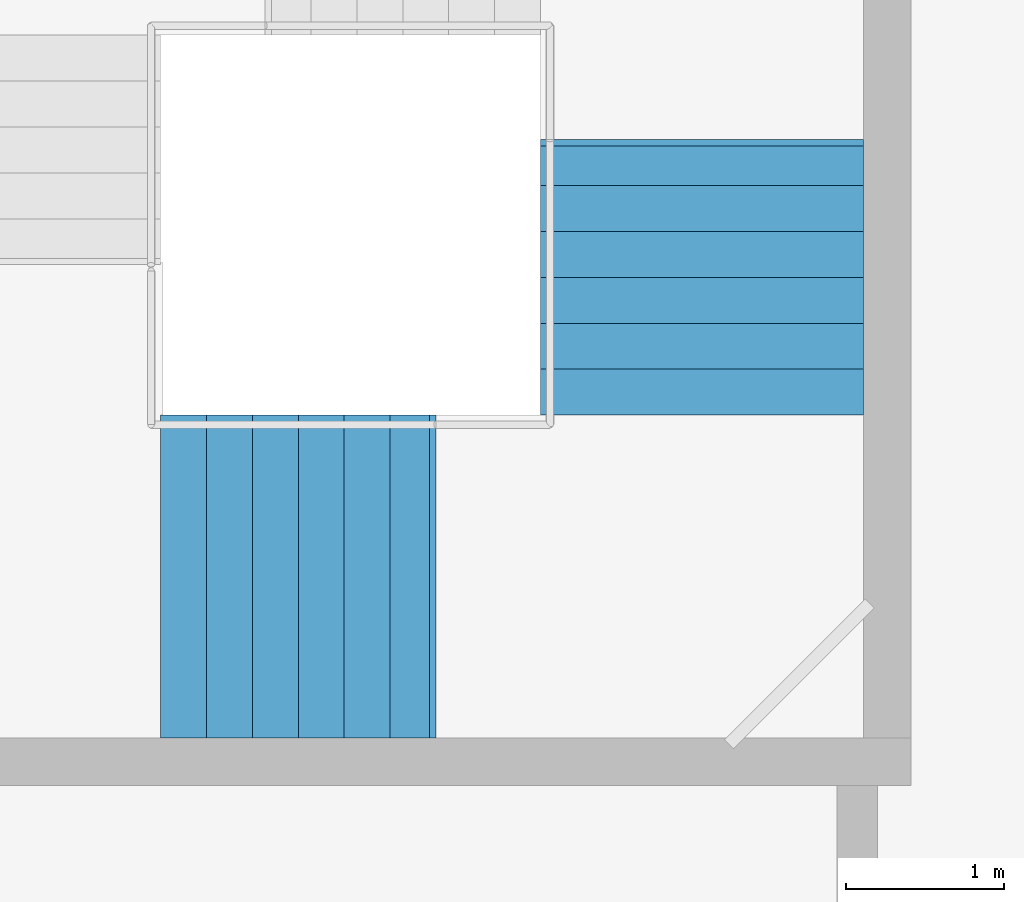
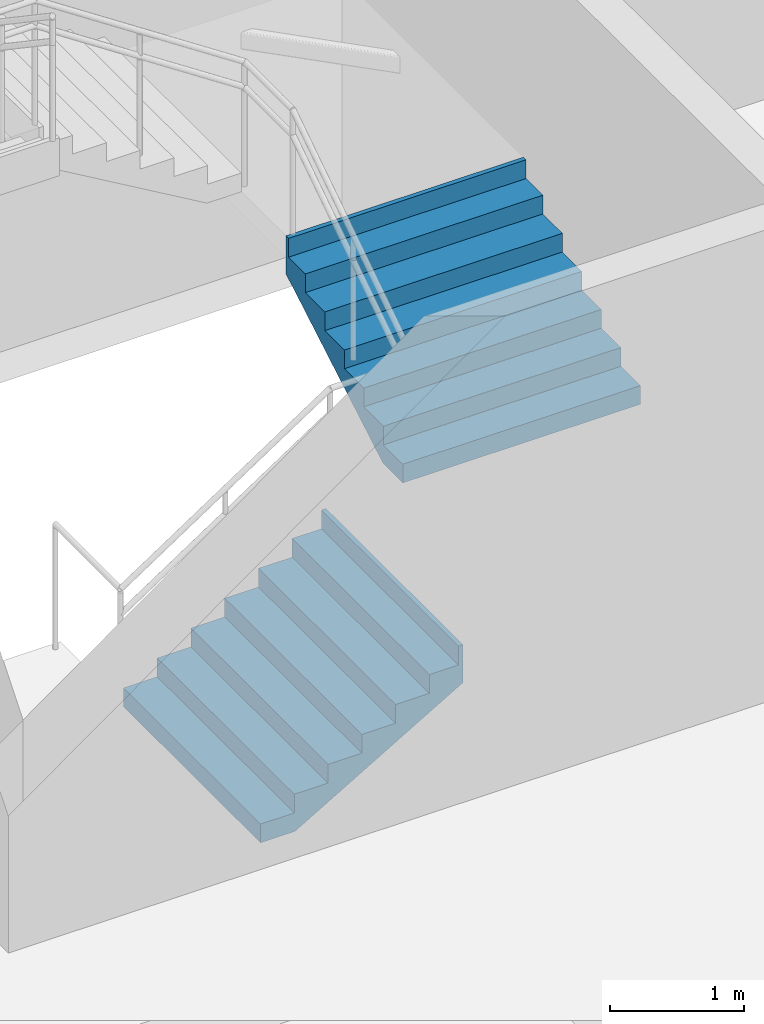
# One storey, part 28 of 32: 2 stair flights, 1 element without a shape of its own.
"""IFC4 building model written with IfcOpenShell, lengths in metres."""

from ifc_helpers import new_model, si_unit, direction, frame, origin, place, context, subcontext, project, spatial, triangles, material, type_object, element, aggregate, save


model = new_model("IFC4")

# Units and contexts
model_context = context("Model", 3, precision=1e-05, world=origin(), true_north=direction((0.0, 1.0)))
body_context = subcontext(model_context, "Body", "Model", "MODEL_VIEW")
ifc_project = project(units=[si_unit("LENGTHUNIT", "METRE"), si_unit("AREAUNIT", "SQUARE_METRE"), si_unit("VOLUMEUNIT", "CUBIC_METRE"), si_unit("PLANEANGLEUNIT", "RADIAN"), si_unit("MASSUNIT", "GRAM", prefix="KILO")], contexts=[model_context])

# Site, building, storey
site_placement = place(None, origin())
site = spatial("IfcSite", under=ifc_project, at=site_placement, CompositionType="ELEMENT")
building_placement = place(site_placement, origin())
building = spatial("IfcBuilding", under=site, at=building_placement, Name="Sillaruma Civic Art Gallery", CompositionType="ELEMENT")
storey_placement = place(building_placement, frame((0.0, 0.0, -4.590087890625)))
storey = spatial("IfcBuildingStorey", under=building, at=storey_placement, Name="B01", CompositionType="ELEMENT", Elevation=-4.590087890625)

# Stair, stair flights
ifc_material = material(Name="Concrete H35 (35 MPa)", Category="concrete")
stair_type = type_object("IfcStairType", Name="STR-4F-27", PredefinedType="USERDEFINED", material=ifc_material)
stair_placement = place(storey_placement, origin())
stair = element("IfcStair", 1, at=stair_placement, inside=storey, type_object=stair_type, Name="Protected Exit Stair ST-05 (East Wing) (B01)", ObjectType="THREE_RETURN_STAIR", PredefinedType="USERDEFINED")
stair_flight_type = type_object("IfcStairFlightType", Name="SFL-STR-7", PredefinedType="STRAIGHT", material=ifc_material)
stair_flight_1_placement = place(storey_placement, frame((144.199951171875, 12.419921875, 0.0), z_axis=(0.0, 0.0, 1.0), x_axis=(1.0, 0.0, 0.0)))
stair_flight_1 = element("IfcStairFlight", 2, at=stair_flight_1_placement, type_object=stair_flight_type, Name="ST-05 flight 1", NumberOfRisers=7, NumberOfTreads=6, PredefinedType="STRAIGHT", RiserHeight=0.17, TreadLength=0.29, context=body_context, shape_type="Tessellation", body=[
    triangles([(0.0, -1.02001953125, 0.0), (0.29, -1.02001953125, 0.0), (0.296404, -1.02001953125, 0.0), (0.58, -1.02001953125, 0.166246), (0.87, -1.02001953125, 0.336246), (1.16, -1.02001953125, 0.506246), (1.45, -1.02001953125, 0.676246), (1.69999, -1.02001953125, 0.822792), (1.73999, -1.02001953125, 0.84624), (1.73999, -1.02001953125, 1.19), (1.69999, -1.02001953125, 1.19), (1.69999, -1.02001953125, 1.02), (1.45, -1.02001953125, 1.02), (1.45, -1.02001953125, 0.85), (1.16, -1.02001953125, 0.85), (1.16, -1.02001953125, 0.68), (0.87, -1.02001953125, 0.68), (0.87, -1.02001953125, 0.51), (0.58, -1.02001953125, 0.51), (0.58, -1.02001953125, 0.34), (0.296404, -1.02001953125, 0.34), (0.29, -1.02001953125, 0.34), (0.29, -1.02001953125, 0.17), (0.0, -1.02001953125, 0.17), (0.0, -0.05, 0.0), (0.29, -0.05, 0.0), (0.296404, -0.05, 0.0), (0.58, -0.05, 0.166246), (0.87, -0.05, 0.336246), (1.16, -0.05, 0.506246), (1.45, -0.05, 0.676246), (1.69999, -0.05, 0.822792), (1.73999, -0.05, 0.84624), (1.73999, -0.05, 1.19), (1.69999, -0.05, 1.19), (1.69999, -0.05, 1.02), (1.45, -0.05, 1.02), (1.45, -0.05, 0.85), (1.16, -0.05, 0.85), (1.16, -0.05, 0.68), (0.87, -0.05, 0.68), (0.87, -0.05, 0.51), (0.58, -0.05, 0.51), (0.58, -0.05, 0.34), (0.296404, -0.05, 0.34), (0.29, -0.05, 0.34), (0.29, -0.05, 0.17), (0.0, -0.05, 0.17), (0.0, -0.0375, 0.0), (0.29, -0.0375, 0.0), (0.296404, -0.0375, 0.0), (0.58, -0.0375, 0.166246), (0.87, -0.0375, 0.336246), (1.16, -0.0375, 0.506246), (1.45, -0.0375, 0.676246), (1.69999, -0.0375, 0.822792), (1.73999, -0.0375, 0.84624), (1.73999, -0.0375, 1.19), (1.69999, -0.0375, 1.19), (1.69999, -0.0375, 1.02), (1.45, -0.0375, 1.02), (1.45, -0.0375, 0.85), (1.16, -0.0375, 0.85), (1.16, -0.0375, 0.68), (0.87, -0.0375, 0.68), (0.87, -0.0375, 0.51), (0.58, -0.0375, 0.51), (0.58, -0.0375, 0.34), (0.296404, -0.0375, 0.34), (0.29, -0.0375, 0.34), (0.29, -0.0375, 0.17), (0.0, -0.0375, 0.17), (0.0, -0.025, 0.0), (0.29, -0.025, 0.0), (0.296404, -0.025, 0.0), (0.58, -0.025, 0.166246), (0.87, -0.025, 0.336246), (1.16, -0.025, 0.506246), (1.45, -0.025, 0.676246), (1.69999, -0.025, 0.822792), (1.73999, -0.025, 0.84624), (1.73999, -0.025, 1.19), (1.69999, -0.025, 1.19), (1.69999, -0.025, 1.02), (1.45, -0.025, 1.02), (1.45, -0.025, 0.85), (1.16, -0.025, 0.85), (1.16, -0.025, 0.68), (0.87, -0.025, 0.68), (0.87, -0.025, 0.51), (0.58, -0.025, 0.51), (0.58, -0.025, 0.34), (0.296404, -0.025, 0.34), (0.29, -0.025, 0.34), (0.29, -0.025, 0.17), (0.0, -0.025, 0.17), (0.0, -0.0125, 0.0), (0.29, -0.0125, 0.0), (0.296404, -0.0125, 0.0), (0.58, -0.0125, 0.166246), (0.87, -0.0125, 0.336246), (1.16, -0.0125, 0.506246), (1.45, -0.0125, 0.676246), (1.69999, -0.0125, 0.822792), (1.73999, -0.0125, 0.84624), (1.73999, -0.0125, 1.19), (1.69999, -0.0125, 1.19), (1.69999, -0.0125, 1.02), (1.45, -0.0125, 1.02), (1.45, -0.0125, 0.85), (1.16, -0.0125, 0.85), (1.16, -0.0125, 0.68), (0.87, -0.0125, 0.68), (0.87, -0.0125, 0.51), (0.58, -0.0125, 0.51), (0.58, -0.0125, 0.34), (0.296404, -0.0125, 0.34), (0.29, -0.0125, 0.34), (0.29, -0.0125, 0.17), (0.0, -0.0125, 0.17), (0.0, 0.0, 0.0), (0.29, 0.0, 0.0), (0.296404, 0.0, 0.0), (0.58, 0.0, 0.166246), (0.87, 0.0, 0.336246), (1.16, 0.0, 0.506246), (1.45, 0.0, 0.676246), (1.69999, 0.0, 0.822792), (1.73999, 0.0, 0.84624), (1.73999, 0.0, 1.19), (1.69999, 0.0, 1.19), (1.69999, 0.0, 1.02), (1.45, 0.0, 1.02), (1.45, 0.0, 0.85), (1.16, 0.0, 0.85), (1.16, 0.0, 0.68), (0.87, 0.0, 0.68), (0.87, 0.0, 0.51), (0.58, 0.0, 0.51), (0.58, 0.0, 0.34), (0.296404, 0.0, 0.34), (0.29, 0.0, 0.34), (0.29, 0.0, 0.17), (0.0, 0.0, 0.17), (0.0, 0.0125, 0.0), (0.29, 0.0125, 0.0), (0.296404, 0.0125, 0.0), (0.58, 0.0125, 0.166246), (0.87, 0.0125, 0.336246), (1.16, 0.0125, 0.506246), (1.45, 0.0125, 0.676246), (1.69999, 0.0125, 0.822792), (1.73999, 0.0125, 0.84624), (1.73999, 0.0125, 1.19), (1.69999, 0.0125, 1.19), (1.69999, 0.0125, 1.02), (1.45, 0.0125, 1.02), (1.45, 0.0125, 0.85), (1.16, 0.0125, 0.85), (1.16, 0.0125, 0.68), (0.87, 0.0125, 0.68), (0.87, 0.0125, 0.51), (0.58, 0.0125, 0.51), (0.58, 0.0125, 0.34), (0.296404, 0.0125, 0.34), (0.29, 0.0125, 0.34), (0.29, 0.0125, 0.17), (0.0, 0.0125, 0.17), (0.0, 0.025, 0.0), (0.29, 0.025, 0.0), (0.296404, 0.025, 0.0), (0.58, 0.025, 0.166246), (0.87, 0.025, 0.336246), (1.16, 0.025, 0.506246), (1.45, 0.025, 0.676246), (1.69999, 0.025, 0.822792), (1.73999, 0.025, 0.84624), (1.73999, 0.025, 1.19), (1.69999, 0.025, 1.19), (1.69999, 0.025, 1.02), (1.45, 0.025, 1.02), (1.45, 0.025, 0.85), (1.16, 0.025, 0.85), (1.16, 0.025, 0.68), (0.87, 0.025, 0.68), (0.87, 0.025, 0.51), (0.58, 0.025, 0.51), (0.58, 0.025, 0.34), (0.296404, 0.025, 0.34), (0.29, 0.025, 0.34), (0.29, 0.025, 0.17), (0.0, 0.025, 0.17), (0.0, 0.0375, 0.0), (0.29, 0.0375, 0.0), (0.296404, 0.0375, 0.0), (0.58, 0.0375, 0.166246), (0.87, 0.0375, 0.336246), (1.16, 0.0375, 0.506246), (1.45, 0.0375, 0.676246), (1.69999, 0.0375, 0.822792), (1.73999, 0.0375, 0.84624), (1.73999, 0.0375, 1.19), (1.69999, 0.0375, 1.19), (1.69999, 0.0375, 1.02), (1.45, 0.0375, 1.02), (1.45, 0.0375, 0.85), (1.16, 0.0375, 0.85), (1.16, 0.0375, 0.68), (0.87, 0.0375, 0.68), (0.87, 0.0375, 0.51), (0.58, 0.0375, 0.51), (0.58, 0.0375, 0.34), (0.296404, 0.0375, 0.34), (0.29, 0.0375, 0.34), (0.29, 0.0375, 0.17), (0.0, 0.0375, 0.17), (0.0, 0.05, 0.0), (0.29, 0.05, 0.0), (0.296404, 0.05, 0.0), (0.58, 0.05, 0.166246), (0.87, 0.05, 0.336246), (1.16, 0.05, 0.506246), (1.45, 0.05, 0.676246), (1.69999, 0.05, 0.822792), (1.73999, 0.05, 0.84624), (1.73999, 0.05, 1.19), (1.69999, 0.05, 1.19), (1.69999, 0.05, 1.02), (1.45, 0.05, 1.02), (1.45, 0.05, 0.85), (1.16, 0.05, 0.85), (1.16, 0.05, 0.68), (0.87, 0.05, 0.68), (0.87, 0.05, 0.51), (0.58, 0.05, 0.51), (0.58, 0.05, 0.34), (0.296404, 0.05, 0.34), (0.29, 0.05, 0.34), (0.29, 0.05, 0.17), (0.0, 0.05, 0.17), (0.0, 1.02001953125, 0.0), (0.29, 1.02001953125, 0.0), (0.296404, 1.02001953125, 0.0), (0.58, 1.02001953125, 0.166246), (0.87, 1.02001953125, 0.336246), (1.16, 1.02001953125, 0.506246), (1.45, 1.02001953125, 0.676246), (1.69999, 1.02001953125, 0.822792), (1.73999, 1.02001953125, 0.84624), (1.73999, 1.02001953125, 1.19), (1.69999, 1.02001953125, 1.19), (1.69999, 1.02001953125, 1.02), (1.45, 1.02001953125, 1.02), (1.45, 1.02001953125, 0.85), (1.16, 1.02001953125, 0.85), (1.16, 1.02001953125, 0.68), (0.87, 1.02001953125, 0.68), (0.87, 1.02001953125, 0.51), (0.58, 1.02001953125, 0.51), (0.58, 1.02001953125, 0.34), (0.296404, 1.02001953125, 0.34), (0.29, 1.02001953125, 0.34), (0.29, 1.02001953125, 0.17), (0.0, 1.02001953125, 0.17)], [[1, 2, 23], [1, 23, 24], [2, 3, 21], [2, 21, 23], [23, 21, 22], [3, 4, 20], [3, 20, 21], [4, 5, 18], [4, 18, 20], [20, 18, 19], [5, 6, 16], [5, 16, 18], [18, 16, 17], [6, 7, 14], [6, 14, 16], [16, 14, 15], [7, 8, 12], [7, 12, 14], [14, 12, 13], [8, 9, 10], [8, 10, 12], [12, 10, 11], [263, 242, 241], [264, 263, 241], [261, 243, 242], [263, 261, 242], [262, 261, 263], [260, 244, 243], [261, 260, 243], [258, 245, 244], [260, 258, 244], [259, 258, 260], [256, 246, 245], [258, 256, 245], [257, 256, 258], [254, 247, 246], [256, 254, 246], [255, 254, 256], [252, 248, 247], [254, 252, 247], [253, 252, 254], [250, 249, 248], [252, 250, 248], [251, 250, 252], [2, 1, 25], [2, 25, 26], [3, 2, 26], [3, 26, 27], [4, 3, 27], [4, 27, 28], [5, 4, 28], [5, 28, 29], [6, 5, 29], [6, 29, 30], [7, 6, 30], [7, 30, 31], [8, 7, 31], [8, 31, 32], [9, 8, 32], [9, 32, 33], [10, 9, 33], [10, 33, 34], [11, 10, 34], [11, 34, 35], [12, 11, 35], [12, 35, 36], [13, 12, 36], [13, 36, 37], [14, 13, 37], [14, 37, 38], [15, 14, 38], [15, 38, 39], [16, 15, 39], [16, 39, 40], [17, 16, 40], [17, 40, 41], [18, 17, 41], [18, 41, 42], [19, 18, 42], [19, 42, 43], [20, 19, 43], [20, 43, 44], [21, 20, 44], [21, 44, 45], [22, 21, 45], [22, 45, 46], [23, 22, 46], [23, 46, 47], [24, 23, 47], [24, 47, 48], [1, 24, 48], [1, 48, 25], [26, 25, 49], [26, 49, 50], [27, 26, 50], [27, 50, 51], [28, 27, 51], [28, 51, 52], [29, 28, 52], [29, 52, 53], [30, 29, 53], [30, 53, 54], [31, 30, 54], [31, 54, 55], [32, 31, 55], [32, 55, 56], [33, 32, 56], [33, 56, 57], [34, 33, 57], [34, 57, 58], [35, 34, 58], [35, 58, 59], [36, 35, 59], [36, 59, 60], [37, 36, 60], [37, 60, 61], [38, 37, 61], [38, 61, 62], [39, 38, 62], [39, 62, 63], [40, 39, 63], [40, 63, 64], [41, 40, 64], [41, 64, 65], [42, 41, 65], [42, 65, 66], [43, 42, 66], [43, 66, 67], [44, 43, 67], [44, 67, 68], [45, 44, 68], [45, 68, 69], [46, 45, 69], [46, 69, 70], [47, 46, 70], [47, 70, 71], [48, 47, 71], [48, 71, 72], [25, 48, 72], [25, 72, 49], [50, 49, 73], [50, 73, 74], [51, 50, 74], [51, 74, 75], [52, 51, 75], [52, 75, 76], [53, 52, 76], [53, 76, 77], [54, 53, 77], [54, 77, 78], [55, 54, 78], [55, 78, 79], [56, 55, 79], [56, 79, 80], [57, 56, 80], [57, 80, 81], [58, 57, 81], [58, 81, 82], [59, 58, 82], [59, 82, 83], [60, 59, 83], [60, 83, 84], [61, 60, 84], [61, 84, 85], [62, 61, 85], [62, 85, 86], [63, 62, 86], [63, 86, 87], [64, 63, 87], [64, 87, 88], [65, 64, 88], [65, 88, 89], [66, 65, 89], [66, 89, 90], [67, 66, 90], [67, 90, 91], [68, 67, 91], [68, 91, 92], [69, 68, 92], [69, 92, 93], [70, 69, 93], [70, 93, 94], [71, 70, 94], [71, 94, 95], [72, 71, 95], [72, 95, 96], [49, 72, 96], [49, 96, 73], [74, 73, 97], [74, 97, 98], [75, 74, 98], [75, 98, 99], [76, 75, 99], [76, 99, 100], [77, 76, 100], [77, 100, 101], [78, 77, 101], [78, 101, 102], [79, 78, 102], [79, 102, 103], [80, 79, 103], [80, 103, 104], [81, 80, 104], [81, 104, 105], [82, 81, 105], [82, 105, 106], [83, 82, 106], [83, 106, 107], [84, 83, 107], [84, 107, 108], [85, 84, 108], [85, 108, 109], [86, 85, 109], [86, 109, 110], [87, 86, 110], [87, 110, 111], [88, 87, 111], [88, 111, 112], [89, 88, 112], [89, 112, 113], [90, 89, 113], [90, 113, 114], [91, 90, 114], [91, 114, 115], [92, 91, 115], [92, 115, 116], [93, 92, 116], [93, 116, 117], [94, 93, 117], [94, 117, 118], [95, 94, 118], [95, 118, 119], [96, 95, 119], [96, 119, 120], [73, 96, 120], [73, 120, 97], [98, 97, 121], [98, 121, 122], [99, 98, 122], [99, 122, 123], [100, 99, 123], [100, 123, 124], [101, 100, 124], [101, 124, 125], [102, 101, 125], [102, 125, 126], [103, 102, 126], [103, 126, 127], [104, 103, 127], [104, 127, 128], [105, 104, 128], [105, 128, 129], [106, 105, 129], [106, 129, 130], [107, 106, 130], [107, 130, 131], [108, 107, 131], [108, 131, 132], [109, 108, 132], [109, 132, 133], [110, 109, 133], [110, 133, 134], [111, 110, 134], [111, 134, 135], [112, 111, 135], [112, 135, 136], [113, 112, 136], [113, 136, 137], [114, 113, 137], [114, 137, 138], [115, 114, 138], [115, 138, 139], [116, 115, 139], [116, 139, 140], [117, 116, 140], [117, 140, 141], [118, 117, 141], [118, 141, 142], [119, 118, 142], [119, 142, 143], [120, 119, 143], [120, 143, 144], [97, 120, 144], [97, 144, 121], [122, 121, 145], [122, 145, 146], [123, 122, 146], [123, 146, 147], [124, 123, 147], [124, 147, 148], [125, 124, 148], [125, 148, 149], [126, 125, 149], [126, 149, 150], [127, 126, 150], [127, 150, 151], [128, 127, 151], [128, 151, 152], [129, 128, 152], [129, 152, 153], [130, 129, 153], [130, 153, 154], [131, 130, 154], [131, 154, 155], [132, 131, 155], [132, 155, 156], [133, 132, 156], [133, 156, 157], [134, 133, 157], [134, 157, 158], [135, 134, 158], [135, 158, 159], [136, 135, 159], [136, 159, 160], [137, 136, 160], [137, 160, 161], [138, 137, 161], [138, 161, 162], [139, 138, 162], [139, 162, 163], [140, 139, 163], [140, 163, 164], [141, 140, 164], [141, 164, 165], [142, 141, 165], [142, 165, 166], [143, 142, 166], [143, 166, 167], [144, 143, 167], [144, 167, 168], [121, 144, 168], [121, 168, 145], [146, 145, 169], [146, 169, 170], [147, 146, 170], [147, 170, 171], [148, 147, 171], [148, 171, 172], [149, 148, 172], [149, 172, 173], [150, 149, 173], [150, 173, 174], [151, 150, 174], [151, 174, 175], [152, 151, 175], [152, 175, 176], [153, 152, 176], [153, 176, 177], [154, 153, 177], [154, 177, 178], [155, 154, 178], [155, 178, 179], [156, 155, 179], [156, 179, 180], [157, 156, 180], [157, 180, 181], [158, 157, 181], [158, 181, 182], [159, 158, 182], [159, 182, 183], [160, 159, 183], [160, 183, 184], [161, 160, 184], [161, 184, 185], [162, 161, 185], [162, 185, 186], [163, 162, 186], [163, 186, 187], [164, 163, 187], [164, 187, 188], [165, 164, 188], [165, 188, 189], [166, 165, 189], [166, 189, 190], [167, 166, 190], [167, 190, 191], [168, 167, 191], [168, 191, 192], [145, 168, 192], [145, 192, 169], [170, 169, 193], [170, 193, 194], [171, 170, 194], [171, 194, 195], [172, 171, 195], [172, 195, 196], [173, 172, 196], [173, 196, 197], [174, 173, 197], [174, 197, 198], [175, 174, 198], [175, 198, 199], [176, 175, 199], [176, 199, 200], [177, 176, 200], [177, 200, 201], [178, 177, 201], [178, 201, 202], [179, 178, 202], [179, 202, 203], [180, 179, 203], [180, 203, 204], [181, 180, 204], [181, 204, 205], [182, 181, 205], [182, 205, 206], [183, 182, 206], [183, 206, 207], [184, 183, 207], [184, 207, 208], [185, 184, 208], [185, 208, 209], [186, 185, 209], [186, 209, 210], [187, 186, 210], [187, 210, 211], [188, 187, 211], [188, 211, 212], [189, 188, 212], [189, 212, 213], [190, 189, 213], [190, 213, 214], [191, 190, 214], [191, 214, 215], [192, 191, 215], [192, 215, 216], [169, 192, 216], [169, 216, 193], [194, 193, 217], [194, 217, 218], [195, 194, 218], [195, 218, 219], [196, 195, 219], [196, 219, 220], [197, 196, 220], [197, 220, 221], [198, 197, 221], [198, 221, 222], [199, 198, 222], [199, 222, 223], [200, 199, 223], [200, 223, 224], [201, 200, 224], [201, 224, 225], [202, 201, 225], [202, 225, 226], [203, 202, 226], [203, 226, 227], [204, 203, 227], [204, 227, 228], [205, 204, 228], [205, 228, 229], [206, 205, 229], [206, 229, 230], [207, 206, 230], [207, 230, 231], [208, 207, 231], [208, 231, 232], [209, 208, 232], [209, 232, 233], [210, 209, 233], [210, 233, 234], [211, 210, 234], [211, 234, 235], [212, 211, 235], [212, 235, 236], [213, 212, 236], [213, 236, 237], [214, 213, 237], [214, 237, 238], [215, 214, 238], [215, 238, 239], [216, 215, 239], [216, 239, 240], [193, 216, 240], [193, 240, 217], [218, 217, 241], [218, 241, 242], [219, 218, 242], [219, 242, 243], [220, 219, 243], [220, 243, 244], [221, 220, 244], [221, 244, 245], [222, 221, 245], [222, 245, 246], [223, 222, 246], [223, 246, 247], [224, 223, 247], [224, 247, 248], [225, 224, 248], [225, 248, 249], [226, 225, 249], [226, 249, 250], [227, 226, 250], [227, 250, 251], [228, 227, 251], [228, 251, 252], [229, 228, 252], [229, 252, 253], [230, 229, 253], [230, 253, 254], [231, 230, 254], [231, 254, 255], [232, 231, 255], [232, 255, 256], [233, 232, 256], [233, 256, 257], [234, 233, 257], [234, 257, 258], [235, 234, 258], [235, 258, 259], [236, 235, 259], [236, 259, 260], [237, 236, 260], [237, 260, 261], [238, 237, 261], [238, 261, 262], [239, 238, 262], [239, 262, 263], [240, 239, 263], [240, 263, 264], [217, 240, 264], [217, 264, 241]], closed=True),
])
stair_flight_2_placement = place(storey_placement, frame((147.6201171875, 13.43994140625, 1.190185546875), z_axis=(0.0, 0.0, 1.0), x_axis=(0.0, 1.0, 0.0)))
stair_flight_2 = element("IfcStairFlight", 3, at=stair_flight_2_placement, type_object=stair_flight_type, Name="ST-05 flight 2", NumberOfRisers=7, NumberOfTreads=6, PredefinedType="STRAIGHT", RiserHeight=0.17, TreadLength=0.29, context=body_context, shape_type="Tessellation", body=[
    triangles([(0.0, -1.02001953125, 0.0), (0.29, -1.02001953125, 0.0), (0.296404, -1.02001953125, 0.0), (0.58, -1.02001953125, 0.166246), (0.87, -1.02001953125, 0.336246), (1.16, -1.02001953125, 0.506246), (1.45, -1.02001953125, 0.676246), (1.69999, -1.02001953125, 0.822792), (1.73999, -1.02001953125, 0.84624), (1.73999, -1.02001953125, 1.19), (1.69999, -1.02001953125, 1.19), (1.69999, -1.02001953125, 1.02), (1.45, -1.02001953125, 1.02), (1.45, -1.02001953125, 0.85), (1.16, -1.02001953125, 0.85), (1.16, -1.02001953125, 0.68), (0.87, -1.02001953125, 0.68), (0.87, -1.02001953125, 0.51), (0.58, -1.02001953125, 0.51), (0.58, -1.02001953125, 0.34), (0.296404, -1.02001953125, 0.34), (0.29, -1.02001953125, 0.34), (0.29, -1.02001953125, 0.17), (0.0, -1.02001953125, 0.17), (0.0, -0.05, 0.0), (0.29, -0.05, 0.0), (0.296404, -0.05, 0.0), (0.58, -0.05, 0.166246), (0.87, -0.05, 0.336246), (1.16, -0.05, 0.506246), (1.45, -0.05, 0.676246), (1.69999, -0.05, 0.822792), (1.73999, -0.05, 0.84624), (1.73999, -0.05, 1.19), (1.69999, -0.05, 1.19), (1.69999, -0.05, 1.02), (1.45, -0.05, 1.02), (1.45, -0.05, 0.85), (1.16, -0.05, 0.85), (1.16, -0.05, 0.68), (0.87, -0.05, 0.68), (0.87, -0.05, 0.51), (0.58, -0.05, 0.51), (0.58, -0.05, 0.34), (0.296404, -0.05, 0.34), (0.29, -0.05, 0.34), (0.29, -0.05, 0.17), (0.0, -0.05, 0.17), (0.0, -0.0375, 0.0), (0.29, -0.0375, 0.0), (0.296404, -0.0375, 0.0), (0.58, -0.0375, 0.166246), (0.87, -0.0375, 0.336246), (1.16, -0.0375, 0.506246), (1.45, -0.0375, 0.676246), (1.69999, -0.0375, 0.822792), (1.73999, -0.0375, 0.84624), (1.73999, -0.0375, 1.19), (1.69999, -0.0375, 1.19), (1.69999, -0.0375, 1.02), (1.45, -0.0375, 1.02), (1.45, -0.0375, 0.85), (1.16, -0.0375, 0.85), (1.16, -0.0375, 0.68), (0.87, -0.0375, 0.68), (0.87, -0.0375, 0.51), (0.58, -0.0375, 0.51), (0.58, -0.0375, 0.34), (0.296404, -0.0375, 0.34), (0.29, -0.0375, 0.34), (0.29, -0.0375, 0.17), (0.0, -0.0375, 0.17), (0.0, -0.025, 0.0), (0.29, -0.025, 0.0), (0.296404, -0.025, 0.0), (0.58, -0.025, 0.166246), (0.87, -0.025, 0.336246), (1.16, -0.025, 0.506246), (1.45, -0.025, 0.676246), (1.69999, -0.025, 0.822792), (1.73999, -0.025, 0.84624), (1.73999, -0.025, 1.19), (1.69999, -0.025, 1.19), (1.69999, -0.025, 1.02), (1.45, -0.025, 1.02), (1.45, -0.025, 0.85), (1.16, -0.025, 0.85), (1.16, -0.025, 0.68), (0.87, -0.025, 0.68), (0.87, -0.025, 0.51), (0.58, -0.025, 0.51), (0.58, -0.025, 0.34), (0.296404, -0.025, 0.34), (0.29, -0.025, 0.34), (0.29, -0.025, 0.17), (0.0, -0.025, 0.17), (0.0, -0.0125, 0.0), (0.29, -0.0125, 0.0), (0.296404, -0.0125, 0.0), (0.58, -0.0125, 0.166246), (0.87, -0.0125, 0.336246), (1.16, -0.0125, 0.506246), (1.45, -0.0125, 0.676246), (1.69999, -0.0125, 0.822792), (1.73999, -0.0125, 0.84624), (1.73999, -0.0125, 1.19), (1.69999, -0.0125, 1.19), (1.69999, -0.0125, 1.02), (1.45, -0.0125, 1.02), (1.45, -0.0125, 0.85), (1.16, -0.0125, 0.85), (1.16, -0.0125, 0.68), (0.87, -0.0125, 0.68), (0.87, -0.0125, 0.51), (0.58, -0.0125, 0.51), (0.58, -0.0125, 0.34), (0.296404, -0.0125, 0.34), (0.29, -0.0125, 0.34), (0.29, -0.0125, 0.17), (0.0, -0.0125, 0.17), (0.0, 0.0, 0.0), (0.29, 0.0, 0.0), (0.296404, 0.0, 0.0), (0.58, 0.0, 0.166246), (0.87, 0.0, 0.336246), (1.16, 0.0, 0.506246), (1.45, 0.0, 0.676246), (1.69999, 0.0, 0.822792), (1.73999, 0.0, 0.84624), (1.73999, 0.0, 1.19), (1.69999, 0.0, 1.19), (1.69999, 0.0, 1.02), (1.45, 0.0, 1.02), (1.45, 0.0, 0.85), (1.16, 0.0, 0.85), (1.16, 0.0, 0.68), (0.87, 0.0, 0.68), (0.87, 0.0, 0.51), (0.58, 0.0, 0.51), (0.58, 0.0, 0.34), (0.296404, 0.0, 0.34), (0.29, 0.0, 0.34), (0.29, 0.0, 0.17), (0.0, 0.0, 0.17), (0.0, 0.0125, 0.0), (0.29, 0.0125, 0.0), (0.296404, 0.0125, 0.0), (0.58, 0.0125, 0.166246), (0.87, 0.0125, 0.336246), (1.16, 0.0125, 0.506246), (1.45, 0.0125, 0.676246), (1.69999, 0.0125, 0.822792), (1.73999, 0.0125, 0.84624), (1.73999, 0.0125, 1.19), (1.69999, 0.0125, 1.19), (1.69999, 0.0125, 1.02), (1.45, 0.0125, 1.02), (1.45, 0.0125, 0.85), (1.16, 0.0125, 0.85), (1.16, 0.0125, 0.68), (0.87, 0.0125, 0.68), (0.87, 0.0125, 0.51), (0.58, 0.0125, 0.51), (0.58, 0.0125, 0.34), (0.296404, 0.0125, 0.34), (0.29, 0.0125, 0.34), (0.29, 0.0125, 0.17), (0.0, 0.0125, 0.17), (0.0, 0.025, 0.0), (0.29, 0.025, 0.0), (0.296404, 0.025, 0.0), (0.58, 0.025, 0.166246), (0.87, 0.025, 0.336246), (1.16, 0.025, 0.506246), (1.45, 0.025, 0.676246), (1.69999, 0.025, 0.822792), (1.73999, 0.025, 0.84624), (1.73999, 0.025, 1.19), (1.69999, 0.025, 1.19), (1.69999, 0.025, 1.02), (1.45, 0.025, 1.02), (1.45, 0.025, 0.85), (1.16, 0.025, 0.85), (1.16, 0.025, 0.68), (0.87, 0.025, 0.68), (0.87, 0.025, 0.51), (0.58, 0.025, 0.51), (0.58, 0.025, 0.34), (0.296404, 0.025, 0.34), (0.29, 0.025, 0.34), (0.29, 0.025, 0.17), (0.0, 0.025, 0.17), (0.0, 0.0375, 0.0), (0.29, 0.0375, 0.0), (0.296404, 0.0375, 0.0), (0.58, 0.0375, 0.166246), (0.87, 0.0375, 0.336246), (1.16, 0.0375, 0.506246), (1.45, 0.0375, 0.676246), (1.69999, 0.0375, 0.822792), (1.73999, 0.0375, 0.84624), (1.73999, 0.0375, 1.19), (1.69999, 0.0375, 1.19), (1.69999, 0.0375, 1.02), (1.45, 0.0375, 1.02), (1.45, 0.0375, 0.85), (1.16, 0.0375, 0.85), (1.16, 0.0375, 0.68), (0.87, 0.0375, 0.68), (0.87, 0.0375, 0.51), (0.58, 0.0375, 0.51), (0.58, 0.0375, 0.34), (0.296404, 0.0375, 0.34), (0.29, 0.0375, 0.34), (0.29, 0.0375, 0.17), (0.0, 0.0375, 0.17), (0.0, 0.05, 0.0), (0.29, 0.05, 0.0), (0.296404, 0.05, 0.0), (0.58, 0.05, 0.166246), (0.87, 0.05, 0.336246), (1.16, 0.05, 0.506246), (1.45, 0.05, 0.676246), (1.69999, 0.05, 0.822792), (1.73999, 0.05, 0.84624), (1.73999, 0.05, 1.19), (1.69999, 0.05, 1.19), (1.69999, 0.05, 1.02), (1.45, 0.05, 1.02), (1.45, 0.05, 0.85), (1.16, 0.05, 0.85), (1.16, 0.05, 0.68), (0.87, 0.05, 0.68), (0.87, 0.05, 0.51), (0.58, 0.05, 0.51), (0.58, 0.05, 0.34), (0.296404, 0.05, 0.34), (0.29, 0.05, 0.34), (0.29, 0.05, 0.17), (0.0, 0.05, 0.17), (0.0, 1.02001953125, 0.0), (0.29, 1.02001953125, 0.0), (0.296404, 1.02001953125, 0.0), (0.58, 1.02001953125, 0.166246), (0.87, 1.02001953125, 0.336246), (1.16, 1.02001953125, 0.506246), (1.45, 1.02001953125, 0.676246), (1.69999, 1.02001953125, 0.822792), (1.73999, 1.02001953125, 0.84624), (1.73999, 1.02001953125, 1.19), (1.69999, 1.02001953125, 1.19), (1.69999, 1.02001953125, 1.02), (1.45, 1.02001953125, 1.02), (1.45, 1.02001953125, 0.85), (1.16, 1.02001953125, 0.85), (1.16, 1.02001953125, 0.68), (0.87, 1.02001953125, 0.68), (0.87, 1.02001953125, 0.51), (0.58, 1.02001953125, 0.51), (0.58, 1.02001953125, 0.34), (0.296404, 1.02001953125, 0.34), (0.29, 1.02001953125, 0.34), (0.29, 1.02001953125, 0.17), (0.0, 1.02001953125, 0.17)], [[1, 2, 23], [1, 23, 24], [2, 3, 21], [2, 21, 23], [23, 21, 22], [3, 4, 20], [3, 20, 21], [4, 5, 18], [4, 18, 20], [20, 18, 19], [5, 6, 16], [5, 16, 18], [18, 16, 17], [6, 7, 14], [6, 14, 16], [16, 14, 15], [7, 8, 12], [7, 12, 14], [14, 12, 13], [8, 9, 10], [8, 10, 12], [12, 10, 11], [263, 242, 241], [264, 263, 241], [261, 243, 242], [263, 261, 242], [262, 261, 263], [260, 244, 243], [261, 260, 243], [258, 245, 244], [260, 258, 244], [259, 258, 260], [256, 246, 245], [258, 256, 245], [257, 256, 258], [254, 247, 246], [256, 254, 246], [255, 254, 256], [252, 248, 247], [254, 252, 247], [253, 252, 254], [250, 249, 248], [252, 250, 248], [251, 250, 252], [2, 1, 25], [2, 25, 26], [3, 2, 26], [3, 26, 27], [4, 3, 27], [4, 27, 28], [5, 4, 28], [5, 28, 29], [6, 5, 29], [6, 29, 30], [7, 6, 30], [7, 30, 31], [8, 7, 31], [8, 31, 32], [9, 8, 32], [9, 32, 33], [10, 9, 33], [10, 33, 34], [11, 10, 34], [11, 34, 35], [12, 11, 35], [12, 35, 36], [13, 12, 36], [13, 36, 37], [14, 13, 37], [14, 37, 38], [15, 14, 38], [15, 38, 39], [16, 15, 39], [16, 39, 40], [17, 16, 40], [17, 40, 41], [18, 17, 41], [18, 41, 42], [19, 18, 42], [19, 42, 43], [20, 19, 43], [20, 43, 44], [21, 20, 44], [21, 44, 45], [22, 21, 45], [22, 45, 46], [23, 22, 46], [23, 46, 47], [24, 23, 47], [24, 47, 48], [1, 24, 48], [1, 48, 25], [26, 25, 49], [26, 49, 50], [27, 26, 50], [27, 50, 51], [28, 27, 51], [28, 51, 52], [29, 28, 52], [29, 52, 53], [30, 29, 53], [30, 53, 54], [31, 30, 54], [31, 54, 55], [32, 31, 55], [32, 55, 56], [33, 32, 56], [33, 56, 57], [34, 33, 57], [34, 57, 58], [35, 34, 58], [35, 58, 59], [36, 35, 59], [36, 59, 60], [37, 36, 60], [37, 60, 61], [38, 37, 61], [38, 61, 62], [39, 38, 62], [39, 62, 63], [40, 39, 63], [40, 63, 64], [41, 40, 64], [41, 64, 65], [42, 41, 65], [42, 65, 66], [43, 42, 66], [43, 66, 67], [44, 43, 67], [44, 67, 68], [45, 44, 68], [45, 68, 69], [46, 45, 69], [46, 69, 70], [47, 46, 70], [47, 70, 71], [48, 47, 71], [48, 71, 72], [25, 48, 72], [25, 72, 49], [50, 49, 73], [50, 73, 74], [51, 50, 74], [51, 74, 75], [52, 51, 75], [52, 75, 76], [53, 52, 76], [53, 76, 77], [54, 53, 77], [54, 77, 78], [55, 54, 78], [55, 78, 79], [56, 55, 79], [56, 79, 80], [57, 56, 80], [57, 80, 81], [58, 57, 81], [58, 81, 82], [59, 58, 82], [59, 82, 83], [60, 59, 83], [60, 83, 84], [61, 60, 84], [61, 84, 85], [62, 61, 85], [62, 85, 86], [63, 62, 86], [63, 86, 87], [64, 63, 87], [64, 87, 88], [65, 64, 88], [65, 88, 89], [66, 65, 89], [66, 89, 90], [67, 66, 90], [67, 90, 91], [68, 67, 91], [68, 91, 92], [69, 68, 92], [69, 92, 93], [70, 69, 93], [70, 93, 94], [71, 70, 94], [71, 94, 95], [72, 71, 95], [72, 95, 96], [49, 72, 96], [49, 96, 73], [74, 73, 97], [74, 97, 98], [75, 74, 98], [75, 98, 99], [76, 75, 99], [76, 99, 100], [77, 76, 100], [77, 100, 101], [78, 77, 101], [78, 101, 102], [79, 78, 102], [79, 102, 103], [80, 79, 103], [80, 103, 104], [81, 80, 104], [81, 104, 105], [82, 81, 105], [82, 105, 106], [83, 82, 106], [83, 106, 107], [84, 83, 107], [84, 107, 108], [85, 84, 108], [85, 108, 109], [86, 85, 109], [86, 109, 110], [87, 86, 110], [87, 110, 111], [88, 87, 111], [88, 111, 112], [89, 88, 112], [89, 112, 113], [90, 89, 113], [90, 113, 114], [91, 90, 114], [91, 114, 115], [92, 91, 115], [92, 115, 116], [93, 92, 116], [93, 116, 117], [94, 93, 117], [94, 117, 118], [95, 94, 118], [95, 118, 119], [96, 95, 119], [96, 119, 120], [73, 96, 120], [73, 120, 97], [98, 97, 121], [98, 121, 122], [99, 98, 122], [99, 122, 123], [100, 99, 123], [100, 123, 124], [101, 100, 124], [101, 124, 125], [102, 101, 125], [102, 125, 126], [103, 102, 126], [103, 126, 127], [104, 103, 127], [104, 127, 128], [105, 104, 128], [105, 128, 129], [106, 105, 129], [106, 129, 130], [107, 106, 130], [107, 130, 131], [108, 107, 131], [108, 131, 132], [109, 108, 132], [109, 132, 133], [110, 109, 133], [110, 133, 134], [111, 110, 134], [111, 134, 135], [112, 111, 135], [112, 135, 136], [113, 112, 136], [113, 136, 137], [114, 113, 137], [114, 137, 138], [115, 114, 138], [115, 138, 139], [116, 115, 139], [116, 139, 140], [117, 116, 140], [117, 140, 141], [118, 117, 141], [118, 141, 142], [119, 118, 142], [119, 142, 143], [120, 119, 143], [120, 143, 144], [97, 120, 144], [97, 144, 121], [122, 121, 145], [122, 145, 146], [123, 122, 146], [123, 146, 147], [124, 123, 147], [124, 147, 148], [125, 124, 148], [125, 148, 149], [126, 125, 149], [126, 149, 150], [127, 126, 150], [127, 150, 151], [128, 127, 151], [128, 151, 152], [129, 128, 152], [129, 152, 153], [130, 129, 153], [130, 153, 154], [131, 130, 154], [131, 154, 155], [132, 131, 155], [132, 155, 156], [133, 132, 156], [133, 156, 157], [134, 133, 157], [134, 157, 158], [135, 134, 158], [135, 158, 159], [136, 135, 159], [136, 159, 160], [137, 136, 160], [137, 160, 161], [138, 137, 161], [138, 161, 162], [139, 138, 162], [139, 162, 163], [140, 139, 163], [140, 163, 164], [141, 140, 164], [141, 164, 165], [142, 141, 165], [142, 165, 166], [143, 142, 166], [143, 166, 167], [144, 143, 167], [144, 167, 168], [121, 144, 168], [121, 168, 145], [146, 145, 169], [146, 169, 170], [147, 146, 170], [147, 170, 171], [148, 147, 171], [148, 171, 172], [149, 148, 172], [149, 172, 173], [150, 149, 173], [150, 173, 174], [151, 150, 174], [151, 174, 175], [152, 151, 175], [152, 175, 176], [153, 152, 176], [153, 176, 177], [154, 153, 177], [154, 177, 178], [155, 154, 178], [155, 178, 179], [156, 155, 179], [156, 179, 180], [157, 156, 180], [157, 180, 181], [158, 157, 181], [158, 181, 182], [159, 158, 182], [159, 182, 183], [160, 159, 183], [160, 183, 184], [161, 160, 184], [161, 184, 185], [162, 161, 185], [162, 185, 186], [163, 162, 186], [163, 186, 187], [164, 163, 187], [164, 187, 188], [165, 164, 188], [165, 188, 189], [166, 165, 189], [166, 189, 190], [167, 166, 190], [167, 190, 191], [168, 167, 191], [168, 191, 192], [145, 168, 192], [145, 192, 169], [170, 169, 193], [170, 193, 194], [171, 170, 194], [171, 194, 195], [172, 171, 195], [172, 195, 196], [173, 172, 196], [173, 196, 197], [174, 173, 197], [174, 197, 198], [175, 174, 198], [175, 198, 199], [176, 175, 199], [176, 199, 200], [177, 176, 200], [177, 200, 201], [178, 177, 201], [178, 201, 202], [179, 178, 202], [179, 202, 203], [180, 179, 203], [180, 203, 204], [181, 180, 204], [181, 204, 205], [182, 181, 205], [182, 205, 206], [183, 182, 206], [183, 206, 207], [184, 183, 207], [184, 207, 208], [185, 184, 208], [185, 208, 209], [186, 185, 209], [186, 209, 210], [187, 186, 210], [187, 210, 211], [188, 187, 211], [188, 211, 212], [189, 188, 212], [189, 212, 213], [190, 189, 213], [190, 213, 214], [191, 190, 214], [191, 214, 215], [192, 191, 215], [192, 215, 216], [169, 192, 216], [169, 216, 193], [194, 193, 217], [194, 217, 218], [195, 194, 218], [195, 218, 219], [196, 195, 219], [196, 219, 220], [197, 196, 220], [197, 220, 221], [198, 197, 221], [198, 221, 222], [199, 198, 222], [199, 222, 223], [200, 199, 223], [200, 223, 224], [201, 200, 224], [201, 224, 225], [202, 201, 225], [202, 225, 226], [203, 202, 226], [203, 226, 227], [204, 203, 227], [204, 227, 228], [205, 204, 228], [205, 228, 229], [206, 205, 229], [206, 229, 230], [207, 206, 230], [207, 230, 231], [208, 207, 231], [208, 231, 232], [209, 208, 232], [209, 232, 233], [210, 209, 233], [210, 233, 234], [211, 210, 234], [211, 234, 235], [212, 211, 235], [212, 235, 236], [213, 212, 236], [213, 236, 237], [214, 213, 237], [214, 237, 238], [215, 214, 238], [215, 238, 239], [216, 215, 239], [216, 239, 240], [193, 216, 240], [193, 240, 217], [218, 217, 241], [218, 241, 242], [219, 218, 242], [219, 242, 243], [220, 219, 243], [220, 243, 244], [221, 220, 244], [221, 244, 245], [222, 221, 245], [222, 245, 246], [223, 222, 246], [223, 246, 247], [224, 223, 247], [224, 247, 248], [225, 224, 248], [225, 248, 249], [226, 225, 249], [226, 249, 250], [227, 226, 250], [227, 250, 251], [228, 227, 251], [228, 251, 252], [229, 228, 252], [229, 252, 253], [230, 229, 253], [230, 253, 254], [231, 230, 254], [231, 254, 255], [232, 231, 255], [232, 255, 256], [233, 232, 256], [233, 256, 257], [234, 233, 257], [234, 257, 258], [235, 234, 258], [235, 258, 259], [236, 235, 259], [236, 259, 260], [237, 236, 260], [237, 260, 261], [238, 237, 261], [238, 261, 262], [239, 238, 262], [239, 262, 263], [240, 239, 263], [240, 263, 264], [217, 240, 264], [217, 264, 241]], closed=True),
])
aggregate(stair, [stair_flight_1, stair_flight_2])

save(model, "model.ifc")
